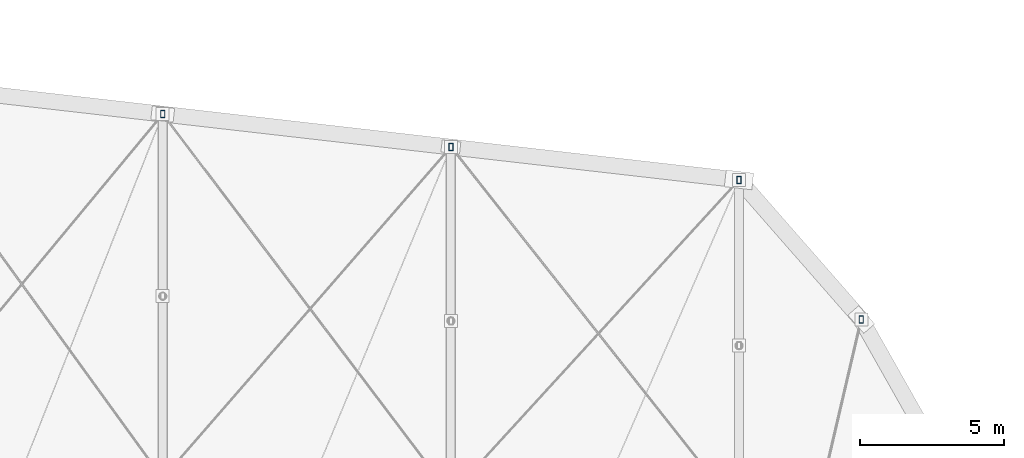
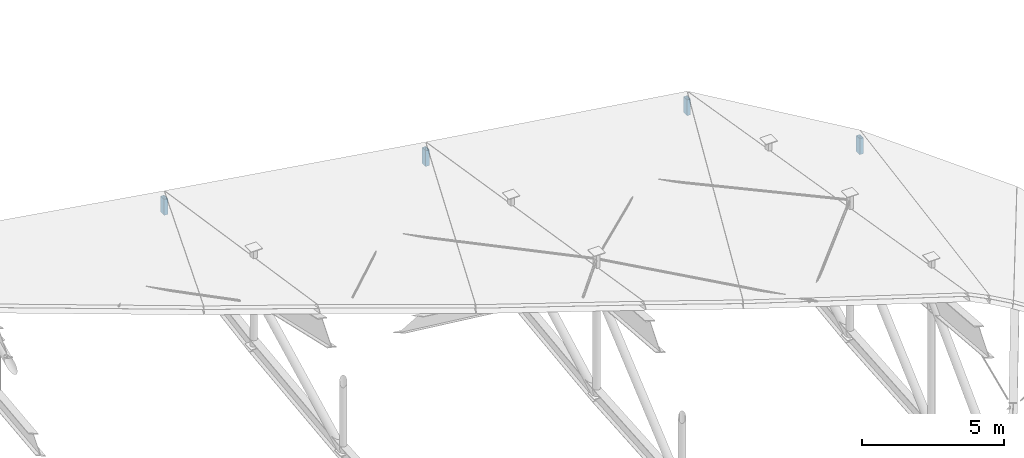
# One storey, part 51 of 68: 4 members.
"""IFC4 building model written with IfcOpenShell, lengths in metres."""

from ifc_helpers import new_model, si_unit, direction, frame, origin, origin_2d, place, context, subcontext, project, spatial, hollow_rectangle, extrude, material, material_profile, profile_set, type_object, element, save


model = new_model("IFC4")

# Units and contexts
model_context = context("Model", 3, precision=1e-05, world=origin(), true_north=direction((0.0, 1.0)))
body_context = subcontext(model_context, "Body", "Model", "MODEL_VIEW")
ifc_project = project(units=[si_unit("LENGTHUNIT", "METRE"), si_unit("AREAUNIT", "SQUARE_METRE"), si_unit("VOLUMEUNIT", "CUBIC_METRE"), si_unit("PLANEANGLEUNIT", "RADIAN"), si_unit("MASSUNIT", "GRAM", prefix="KILO")], contexts=[model_context])

# Site, building, storey
site_placement = place(None, origin())
site = spatial("IfcSite", under=ifc_project, at=site_placement, CompositionType="ELEMENT")
building_placement = place(site_placement, origin())
building = spatial("IfcBuilding", under=site, at=building_placement, Name="Sohan Crest Arena", CompositionType="ELEMENT")
storey_placement = place(building_placement, frame((0.0, 0.0, 27.0)))
storey = spatial("IfcBuildingStorey", under=building, at=storey_placement, Name="RF", CompositionType="ELEMENT", Elevation=27.0)

# Members
ifc_material = material(Name="Steel S355", Category="steel")
ifc_material_profile = material_profile(ifc_material, hollow_rectangle(XDim=0.14990234375, YDim=0.25, WallThickness=0.010009765625, at=origin_2d()), Name="RHS 250x150x10")
ifc_profile_set = profile_set([ifc_material_profile], Name="Steel S355")
member_type = type_object("IfcMemberType", Name="STR-MEM-CH02", PredefinedType="CHORD", material=ifc_profile_set)
member_1_placement = place(storey_placement, frame((172.242919921875, 96.154052734375, -3.544921875), z_axis=(0.0, 0.0, 1.0), x_axis=(1.0, 0.0, 0.0)))
element("IfcMember", 1, at=member_1_placement, inside=storey, type_object=member_type, Name="Ring beam roof bearing saddle chord RSR-27", PredefinedType="CHORD", context=body_context, shape_type="SweptSolid", body=[
    extrude(hollow_rectangle(XDim=0.14990234375, YDim=0.25, WallThickness=0.010009765625, at=origin_2d()), origin(), (0.0, 0.0, 1.0), 0.684814453125),
])
member_2_placement = place(storey_placement, frame((168.0, 101.0, -3.321044921875), z_axis=(0.0, 0.0, 1.0), x_axis=(1.0, 0.0, 0.0)))
element("IfcMember", 2, at=member_2_placement, inside=storey, type_object=member_type, Name="Ring beam roof bearing saddle chord RSR-28", PredefinedType="CHORD", context=body_context, shape_type="SweptSolid", body=[
    extrude(hollow_rectangle(XDim=0.14990234375, YDim=0.25, WallThickness=0.010009765625, at=origin_2d()), origin(), (0.0, 0.0, 1.0), 0.68505859375),
])
member_3_placement = place(storey_placement, frame((158.0, 102.14306640625, -2.701904296875), z_axis=(0.0, 0.0, 1.0), x_axis=(1.0, 0.0, 0.0)))
element("IfcMember", 3, at=member_3_placement, inside=storey, type_object=member_type, Name="Ring beam roof bearing saddle chord RSR-29", PredefinedType="CHORD", context=body_context, shape_type="SweptSolid", body=[
    extrude(hollow_rectangle(XDim=0.14990234375, YDim=0.25, WallThickness=0.010009765625, at=origin_2d()), origin(), (0.0, 0.0, 1.0), 0.684814453125),
])
member_4_placement = place(storey_placement, frame((148.0, 103.285888671875, -1.9970703125), z_axis=(0.0, 0.0, 1.0), x_axis=(1.0, 0.0, 0.0)))
element("IfcMember", 4, at=member_4_placement, inside=storey, type_object=member_type, Name="Ring beam roof bearing saddle chord RSR-30", PredefinedType="CHORD", context=body_context, shape_type="SweptSolid", body=[
    extrude(hollow_rectangle(XDim=0.14990234375, YDim=0.25, WallThickness=0.010009765625, at=origin_2d()), origin(), (0.0, 0.0, 1.0), 0.68505859375),
])

save(model, "model.ifc")
